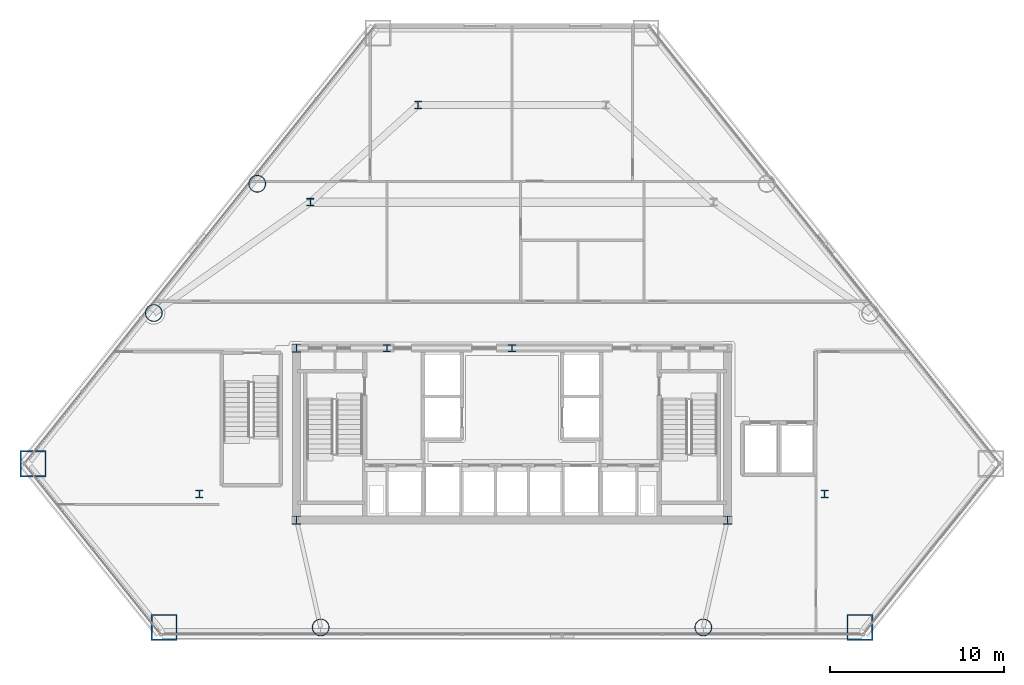
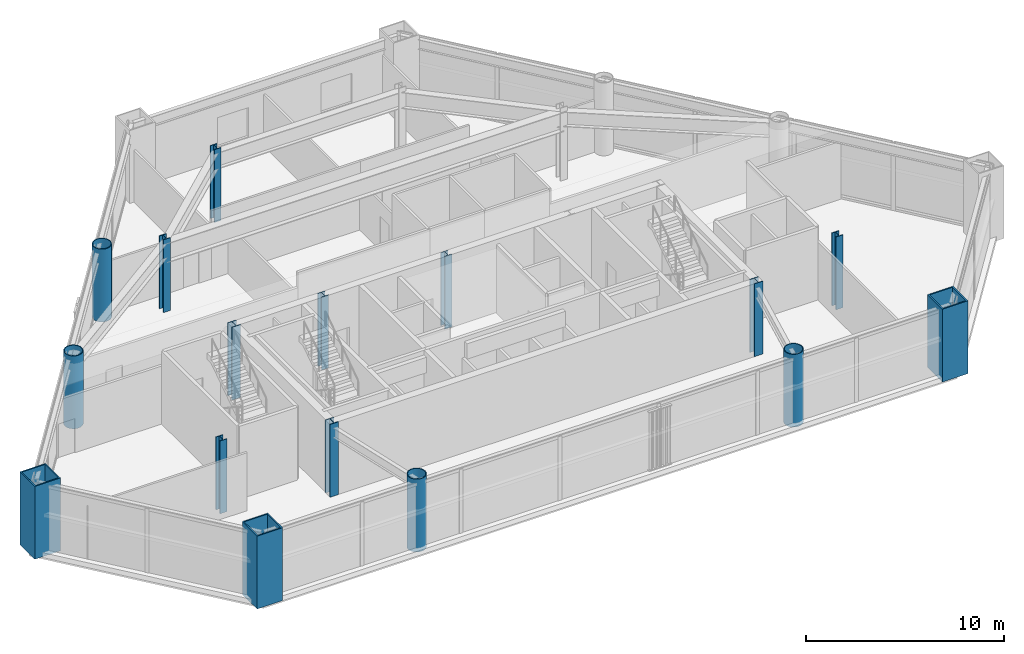
# One storey, part 1 of 13: 16 columns.
"""IFC4 building model written with IfcOpenShell, lengths in metres."""

from ifc_helpers import new_model, si_unit, direction, frame, origin, origin_2d, place, context, subcontext, project, spatial, hollow_rectangle, hollow_circle, i_section, extrude, material, material_profile, profile_set, type_object, element, save


model = new_model("IFC4")

# Units and contexts
model_context = context("Model", 3, precision=1e-05, world=origin(), true_north=direction((0.0, 1.0)))
body_context = subcontext(model_context, "Body", "Model", "MODEL_VIEW")
ifc_project = project(units=[si_unit("LENGTHUNIT", "METRE"), si_unit("AREAUNIT", "SQUARE_METRE"), si_unit("VOLUMEUNIT", "CUBIC_METRE"), si_unit("PLANEANGLEUNIT", "RADIAN"), si_unit("MASSUNIT", "GRAM", prefix="KILO")], contexts=[model_context])

# Site, building, storey
site_placement = place(None, origin())
site = spatial("IfcSite", under=ifc_project, at=site_placement, CompositionType="ELEMENT")
building_placement = place(site_placement, origin())
building = spatial("IfcBuilding", under=site, at=building_placement, Name="Talgorran Terracotta Tower", CompositionType="ELEMENT")
storey_placement = place(building_placement, frame((0.0, 0.0, 9.89990234375)))
storey = spatial("IfcBuildingStorey", under=building, at=storey_placement, Name="L02", CompositionType="ELEMENT", Elevation=9.89990234375)

# Columns
ifc_material_1 = material(Name="Steel S355 (300PLUS)", Category="steel")
ifc_material_profile_1 = material_profile(ifc_material_1, i_section(OverallWidth=0.39990234375, OverallDepth=0.43994140625, WebThickness=0.028076171875, FlangeThickness=0.0400390625, at=origin_2d()), Name="400WC328")
ifc_profile_set_1 = profile_set([ifc_material_profile_1], Name="Steel S355 (300PLUS)")
column_type_1 = type_object("IfcColumnType", Name="COL_400WC328", PredefinedType="COLUMN", material=ifc_profile_set_1)
for number, where, z_axis, x_axis, name in (
    (1, (-18.0, -12.60009765625, 0.0), (0.0, 0.0, 1.0), (1.0, 0.0, 0.0), "L02 Podium Column PC1"),
    (2, (18.0, -12.60009765625, 0.0), (0.0, 0.0, 1.0), (1.0, 0.0, 0.0), "L02 Podium Column PC2"),
    (3, (-11.60009765625, 4.199951171875, 0.0), (0.0, 0.0, 1.0), (1.0, 0.0, 0.0), "L02 Podium Column PC3"),
    (4, (-5.39990234375, 9.800048828125, 0.0), (0.0, 0.0, 1.0), (1.0, 0.0, 0.0), "L02 Podium Column PC5"),
):
    element("IfcColumn", number, at=place(storey_placement, frame(where, z_axis=z_axis, x_axis=x_axis)), inside=storey, type_object=column_type_1, Name=name, PredefinedType="COLUMN", context=body_context, shape_type="SweptSolid", body=[
        extrude(i_section(OverallWidth=0.39990234375, OverallDepth=0.43994140625, WebThickness=0.028076171875, FlangeThickness=0.0400390625, at=origin_2d()), origin(), (0.0, 0.0, 1.0), 4.5),
    ])
ifc_material_profile_2 = material_profile(ifc_material_1, i_section(OverallWidth=0.5, OverallDepth=0.48193359375, WebThickness=0.0400390625, FlangeThickness=0.044921875, at=origin_2d()), Name="500WC440")
ifc_profile_set_2 = profile_set([ifc_material_profile_2], Name="Steel S355 (300PLUS)")
column_type_2 = type_object("IfcColumnType", Name="COL_500WC440", PredefinedType="COLUMN", material=ifc_profile_set_2)
for number, where, z_axis, x_axis, name in (
    (5, (-12.39990234375, -14.10009765625, 0.0), (0.0, 0.0, 1.0), (1.0, 0.0, 0.0), "L02 Core Boundary Column CC1"),
    (6, (12.39990234375, -14.10009765625, 0.0), (0.0, 0.0, 1.0), (1.0, 0.0, 0.0), "L02 Core Boundary Column CC2"),
    (7, (-12.39990234375, -4.199951171875, 0.0), (0.0, 0.0, 1.0), (1.0, 0.0, 0.0), "L02 Core Boundary Column CC4"),
):
    element("IfcColumn", number, at=place(storey_placement, frame(where, z_axis=z_axis, x_axis=x_axis)), inside=storey, type_object=column_type_2, Name=name, PredefinedType="COLUMN", context=body_context, shape_type="SweptSolid", body=[
        extrude(i_section(OverallWidth=0.5, OverallDepth=0.48193359375, WebThickness=0.0400390625, FlangeThickness=0.044921875, at=origin_2d()), origin(), (0.0, 0.0, 1.0), 4.5),
    ])
ifc_material_2 = material(Name="Steel Grade 350 (350L0)", Category="steel")
ifc_material_profile_3 = material_profile(ifc_material_2, hollow_rectangle(XDim=1.5, YDim=1.5, WallThickness=0.074951171875, at=origin_2d()), Name="CFT1500X1500X75")
ifc_profile_set_3 = profile_set([ifc_material_profile_3], Name="Steel Grade 350 (350L0)")
column_type_3 = type_object("IfcColumnType", Name="COL_CFT_1500", PredefinedType="COLUMN", material=ifc_profile_set_3)
for number, where, z_axis, x_axis, name in (
    (8, (-27.56982421875, -10.85595703125, 0.0), (0.0, 0.0, 1.0), (1.0, 0.0, 0.0), "L02 Corner CFT Mega-Column MC1"),
    (9, (-20.022216796875, -20.280029296875, 0.0), (0.0, 0.0, 1.0), (1.0, 0.0, 0.0), "L02 Corner CFT Mega-Column MC2"),
    (10, (20.022216796875, -20.280029296875, 0.0), (0.0, 0.0, 1.0), (1.0, 0.0, 0.0), "L02 Corner CFT Mega-Column MC3"),
):
    element("IfcColumn", number, at=place(storey_placement, frame(where, z_axis=z_axis, x_axis=x_axis)), inside=storey, type_object=column_type_3, Name=name, PredefinedType="COLUMN", context=body_context, shape_type="SweptSolid", body=[
        extrude(hollow_rectangle(XDim=1.5, YDim=1.5, WallThickness=0.074951171875, at=origin_2d()), origin(), (0.0, 0.0, 1.0), 4.5),
    ])
ifc_material_profile_4 = material_profile(ifc_material_2, hollow_circle(Radius=0.5, WallThickness=0.044921875, at=origin_2d()), Name="CHS1000X45")
ifc_profile_set_4 = profile_set([ifc_material_profile_4], Name="Steel Grade 350 (350L0)")
column_type_4 = type_object("IfcColumnType", Name="COL_CHS_1000", PredefinedType="COLUMN", material=ifc_profile_set_4)
for number, where, z_axis, x_axis, name in (
    (11, (-11.01220703125, -20.280029296875, 0.0), (0.0, 0.0, 1.0), (1.0, 0.0, 0.0), "L02 Facet Perimeter Column FC1"),
    (12, (11.01220703125, -20.280029296875, 0.0), (0.0, 0.0, 1.0), (1.0, 0.0, 0.0), "L02 Facet Perimeter Column FC2"),
    (13, (-14.663818359375, 5.2587890625, 0.0), (0.0, 0.0, 1.0), (1.0, 0.0, 0.0), "L02 Facet Perimeter Column FC5"),
    (14, (-20.620361328125, -2.1787109375, 0.0), (0.0, 0.0, 1.0), (1.0, 0.0, 0.0), "L02 Facet Perimeter Column FC6"),
):
    element("IfcColumn", number, at=place(storey_placement, frame(where, z_axis=z_axis, x_axis=x_axis)), inside=storey, type_object=column_type_4, Name=name, PredefinedType="COLUMN", context=body_context, shape_type="SweptSolid", body=[
        extrude(hollow_circle(Radius=0.5, WallThickness=0.044921875, at=origin_2d()), origin(), (0.0, 0.0, 1.0), 4.5),
    ])
ifc_material_profile_5 = material_profile(ifc_material_1, i_section(OverallWidth=0.405029296875, OverallDepth=0.4140625, WebThickness=0.02197265625, FlangeThickness=0.031982421875, at=origin_2d()), Name="400WC270")
ifc_profile_set_5 = profile_set([ifc_material_profile_5], Name="Steel S355 (300PLUS)")
column_type_5 = type_object("IfcColumnType", Name="COL_PIL_400WC270", PredefinedType="PILASTER", material=ifc_profile_set_5)
for number, where, z_axis, x_axis, name in (
    (15, (-7.199951171875, -4.199951171875, 0.0), (0.0, 0.0, 1.0), (1.0, 0.0, 0.0), "L02 Core Shear Pilaster CP1"),
    (16, (0.0, -4.199951171875, 0.0), (0.0, 0.0, 1.0), (1.0, 0.0, 0.0), "L02 Core Shear Pilaster CP2"),
):
    element("IfcColumn", number, at=place(storey_placement, frame(where, z_axis=z_axis, x_axis=x_axis)), inside=storey, type_object=column_type_5, Name=name, PredefinedType="PILASTER", context=body_context, shape_type="SweptSolid", body=[
        extrude(i_section(OverallWidth=0.405029296875, OverallDepth=0.4140625, WebThickness=0.02197265625, FlangeThickness=0.031982421875, at=origin_2d()), origin(), (0.0, 0.0, 1.0), 4.5),
    ])

save(model, "model.ifc")
